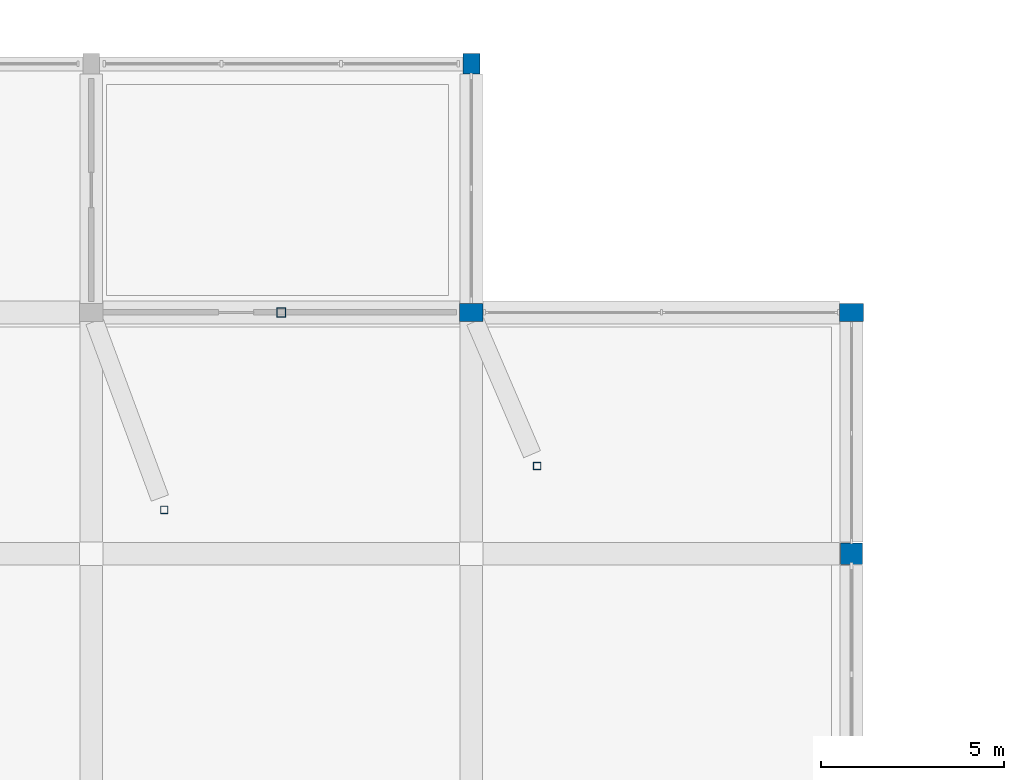
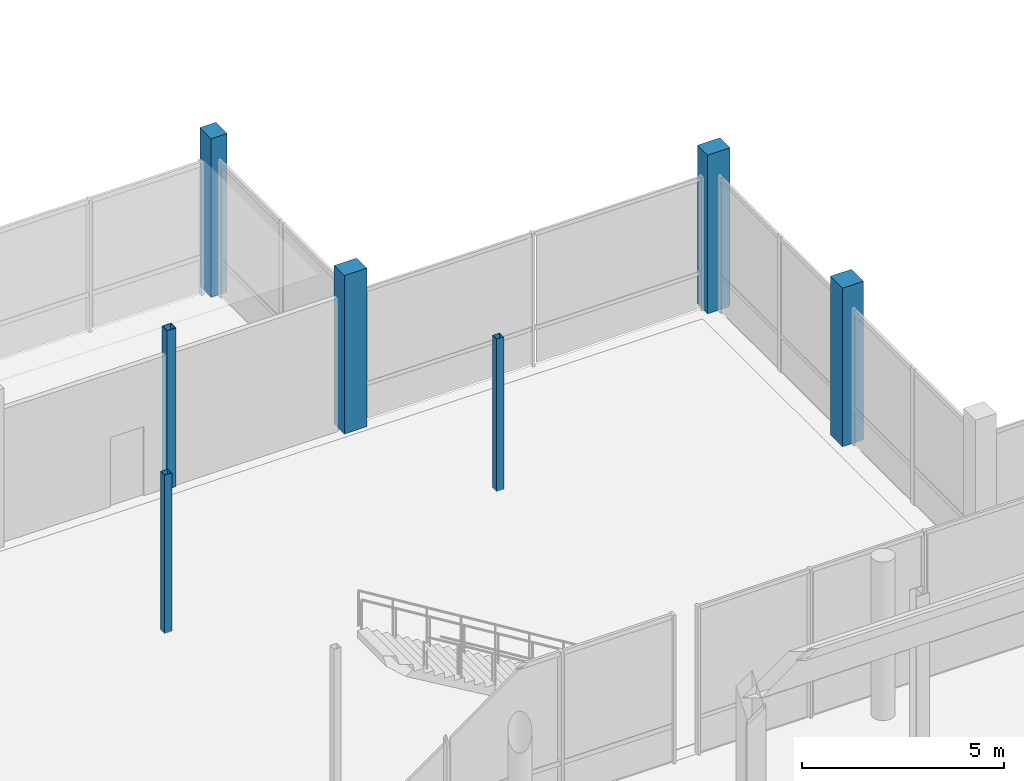
# One storey, part 12 of 88: 7 columns.
"""IFC4 building model written with IfcOpenShell, lengths in metres."""

from ifc_helpers import new_model, si_unit, derived_unit, direction, frame, origin, origin_2d, place, context, subcontext, project, spatial, rectangle, hollow_rectangle, extrude, material, material_profile, profile_set, type_object, element, save


model = new_model("IFC4")

# Units and contexts
model_context = context("Model", 3, precision=1e-05, world=origin(), true_north=direction((0.0, 1.0)))
body_context = subcontext(model_context, "Body", "Model", "MODEL_VIEW")
ifc_project = project(units=[si_unit("LENGTHUNIT", "METRE"), si_unit("AREAUNIT", "SQUARE_METRE"), si_unit("VOLUMEUNIT", "CUBIC_METRE"), si_unit("PLANEANGLEUNIT", "RADIAN"), si_unit("MASSUNIT", "GRAM", prefix="KILO"), derived_unit("THERMALTRANSMITTANCEUNIT", [(si_unit("POWERUNIT", "WATT"), 1), (si_unit("LENGTHUNIT", "METRE"), -2), (si_unit("THERMODYNAMICTEMPERATUREUNIT", "KELVIN"), -1)])], contexts=[model_context])

# Site, building, storey
site_placement = place(None, origin())
site = spatial("IfcSite", under=ifc_project, at=site_placement, CompositionType="ELEMENT")
building_placement = place(site_placement, origin())
building = spatial("IfcBuilding", under=site, at=building_placement, Name="Braskholm Square Health Centre", CompositionType="ELEMENT")
storey_placement = place(building_placement, origin())
storey = spatial("IfcBuildingStorey", under=building, at=storey_placement, Name="L01", CompositionType="ELEMENT", Elevation=0.0)

# Columns
ifc_material_1 = material(Name="Concrete C40/50 (f'c = 40 MPa)", Category="concrete")
ifc_material_profile_1 = material_profile(ifc_material_1, rectangle(XDim=0.64990234375, YDim=0.5, at=origin_2d()), Name="RC-650X500")
ifc_profile_set_1 = profile_set([ifc_material_profile_1], Name="Concrete C40/50 (f'c = 40 MPa)")
column_type_1 = type_object("IfcColumnType", Name="ColHallPier650x500", PredefinedType="COLUMN", material=ifc_profile_set_1)
for number, where, z_axis, x_axis, name in (
    (1, (110.0, 107.0, 0.0), (0.0, 0.0, 1.0), (1.0, 0.0, 0.0), "Column 14/R L01"),
    (2, (120.39990234375, 107.0, 0.0), (0.0, 0.0, 1.0), (1.0, 0.0, 0.0), "Column 15/R L01"),
):
    element("IfcColumn", number, at=place(storey_placement, frame(where, z_axis=z_axis, x_axis=x_axis)), inside=storey, type_object=column_type_1, Name=name, PredefinedType="COLUMN", context=body_context, shape_type="SweptSolid", body=[
        extrude(rectangle(XDim=0.64990234375, YDim=0.5, at=origin_2d()), origin(), (0.0, 0.0, 1.0), 4.800048828125),
    ])
ifc_material_profile_2 = material_profile(ifc_material_1, rectangle(XDim=0.60009765625, YDim=0.60009765625, at=origin_2d()), Name="RC-600X600")
ifc_profile_set_2 = profile_set([ifc_material_profile_2], Name="Concrete C40/50 (f'c = 40 MPa)")
column_type_2 = type_object("IfcColumnType", Name="ColInteriorLow600", PredefinedType="COLUMN", material=ifc_profile_set_2)
column_1_placement = place(storey_placement, frame((120.39990234375, 100.39990234375, 0.0), z_axis=(0.0, 0.0, 1.0), x_axis=(1.0, 0.0, 0.0)))
element("IfcColumn", 3, at=column_1_placement, inside=storey, type_object=column_type_2, Name="Column 15/Q L01", PredefinedType="COLUMN", context=body_context, shape_type="SweptSolid", body=[
    extrude(rectangle(XDim=0.60009765625, YDim=0.60009765625, at=origin_2d()), origin(), (0.0, 0.0, 1.0), 4.800048828125),
])
ifc_material_2 = material(Name="Precast concrete C40/50 architectural white", Category="concrete")
ifc_material_profile_3 = material_profile(ifc_material_2, rectangle(XDim=0.4599609375, YDim=0.56005859375, at=origin_2d()), Name="RC-460X560")
ifc_profile_set_3 = profile_set([ifc_material_profile_3], Name="Precast concrete C40/50 architectural white")
column_type_3 = type_object("IfcColumnType", Name="ColPrecastFrame460x560", PredefinedType="COLUMN", material=ifc_profile_set_3)
column_2_placement = place(storey_placement, frame((110.0, 113.800048828125, 0.0), z_axis=(0.0, 0.0, 1.0), x_axis=(1.0, 0.0, 0.0)))
element("IfcColumn", 4, at=column_2_placement, inside=storey, type_object=column_type_3, Name="Column 14/S L01", PredefinedType="COLUMN", context=body_context, shape_type="SweptSolid", body=[
    extrude(rectangle(XDim=0.4599609375, YDim=0.56005859375, at=origin_2d()), origin(), (0.0, 0.0, 1.0), 4.800048828125),
])
ifc_material_3 = material(Name="Steel ASTM A500 Grade C", Category="steel")
ifc_material_profile_4 = material_profile(ifc_material_3, hollow_rectangle(XDim=0.25390625, YDim=0.25390625, WallThickness=0.01171875, at=origin_2d()), Name="HSS10X10X1/2")
ifc_profile_set_4 = profile_set([ifc_material_profile_4], Name="Steel ASTM A500 Grade C")
column_type_4 = type_object("IfcColumnType", Name="ColSteelCanopyHSS10", PredefinedType="COLUMN", material=ifc_profile_set_4)
column_3_placement = place(storey_placement, frame((104.800048828125, 107.0, 0.0), z_axis=(0.0, 0.0, 1.0), x_axis=(1.0, 0.0, 0.0)))
element("IfcColumn", 5, at=column_3_placement, inside=storey, type_object=column_type_4, Name="Column CS2F L01", PredefinedType="COLUMN", context=body_context, shape_type="SweptSolid", body=[
    extrude(hollow_rectangle(XDim=0.25390625, YDim=0.25390625, WallThickness=0.01171875, at=origin_2d()), origin(), (0.0, 0.0, 1.0), 4.800048828125),
])
ifc_material_profile_5 = material_profile(ifc_material_3, hollow_rectangle(XDim=0.203125, YDim=0.203125, WallThickness=0.0087890625, at=origin_2d()), Name="HSS8X8X3/8")
ifc_profile_set_5 = profile_set([ifc_material_profile_5], Name="Steel ASTM A500 Grade C")
column_type_5 = type_object("IfcColumnType", Name="ColSteelPorchHSS8", PredefinedType="COLUMN", material=ifc_profile_set_5)
column_4_placement = place(storey_placement, frame((111.800048828125, 102.800048828125, 0.0), z_axis=(0.0, 0.0, 1.0), x_axis=(1.0, 0.0, 0.0)))
element("IfcColumn", 6, at=column_4_placement, inside=storey, type_object=column_type_5, Name="Column CS3H L01", PredefinedType="COLUMN", context=body_context, shape_type="SweptSolid", body=[
    extrude(hollow_rectangle(XDim=0.203125, YDim=0.203125, WallThickness=0.0087890625, at=origin_2d()), origin(), (0.0, 0.0, 1.0), 4.6201171875),
])
column_5_placement = place(storey_placement, frame((101.60009765625, 101.60009765625, 0.0), z_axis=(0.0, 0.0, 1.0), x_axis=(1.0, 0.0, 0.0)))
element("IfcColumn", 7, at=column_5_placement, inside=storey, type_object=column_type_5, Name="Column CS3K L01", PredefinedType="COLUMN", context=body_context, shape_type="SweptSolid", body=[
    extrude(hollow_rectangle(XDim=0.203125, YDim=0.203125, WallThickness=0.0087890625, at=origin_2d()), origin(), (0.0, 0.0, 1.0), 4.800048828125),
])

save(model, "model.ifc")
